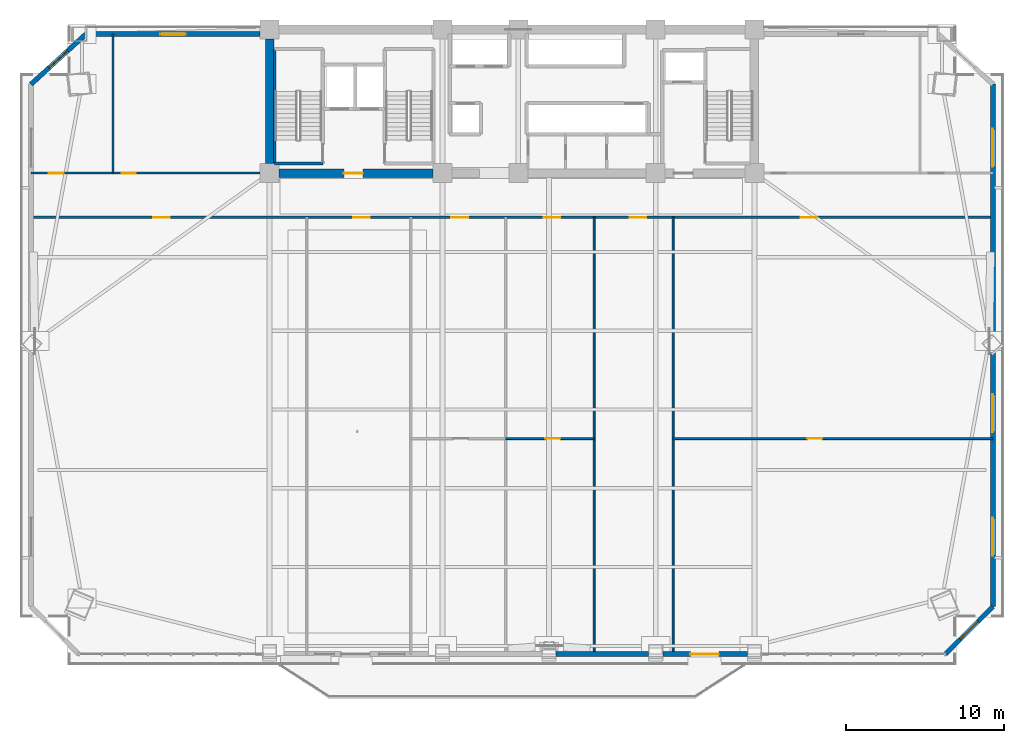
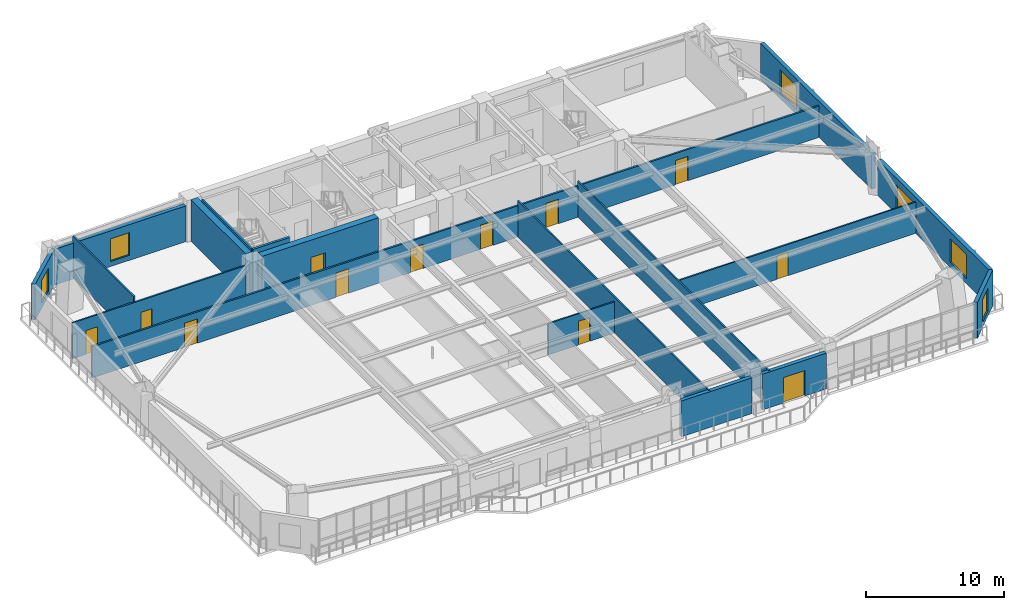
# One storey, part 8 of 15: 18 walls, 12 doors, 6 windows, 18 openings.
"""IFC4 building model written with IfcOpenShell, lengths in metres."""

import ifcopenshell
import ifcopenshell.guid

model = None  # the IFC model being written
_history = None  # IfcOwnerHistory: only IFC2X3 demands one
_inside = {}  # id of a spatial element -> (the spatial element, [elements in it])
_under = {}  # id of a project, library or spatial element -> (it, [spatial elements below it])
_declared = {}  # id of a project -> (the project, [libraries it declares])
_typed = {}  # id of a type object -> (the type object, [elements of that type])
_made_of = {}  # id of a material, layer set ... -> (it, [elements and type objects made of it])


def new_model(schema):
    """Start an empty IFC model of exactly this schema.

    Asked for "IFC4X3", IfcOpenShell would pick the latest addendum, in which some entities
    have other attributes; the version numbers below select the first issue.
    IFC2X3 requires an IfcOwnerHistory on every rooted entity: one is made here for all.
    """
    global model, _history
    if schema == "IFC4X3":
        model = ifcopenshell.file(schema_version=(4, 3, 0, 0))
    else:
        model = ifcopenshell.file(schema=schema)
    _inside.clear()
    _under.clear()
    _declared.clear()
    _typed.clear()
    _made_of.clear()
    _history = None
    if model.schema == "IFC2X3":
        org = make("IfcOrganization", Name="unknown")
        user = make(
            "IfcPersonAndOrganization",
            ThePerson=make("IfcPerson", FamilyName="unknown"),
            TheOrganization=org,
        )
        app = make(
            "IfcApplication",
            ApplicationDeveloper=org,
            Version="unknown",
            ApplicationFullName="unknown",
            ApplicationIdentifier="unknown",
        )
        _history = make(
            "IfcOwnerHistory",
            OwningUser=user,
            OwningApplication=app,
            ChangeAction="ADDED",
            CreationDate=0,
        )
    return model


def make(cls, **values):
    """One entity of the class cls with the attributes given. An attribute that is None is left unset."""
    return model.create_entity(
        cls, **{name: value for name, value in values.items() if value is not None}
    )


def rooted(cls, **values):
    """An entity with a GlobalId (a new one), such as an element, a storey or a relation."""
    return make(cls, GlobalId=ifcopenshell.guid.new(), OwnerHistory=_history, **values)


def si_unit(unit_type, name, prefix=None):
    """IfcSIUnit, for example si_unit("LENGTHUNIT", "METRE", prefix="MILLI")."""
    return make("IfcSIUnit", UnitType=unit_type, Prefix=prefix, Name=name)


def assignment(units):
    """IfcUnitAssignment: the units of a project."""
    return None if units is None else make("IfcUnitAssignment", Units=units)


def point(xyz):
    """IfcCartesianPoint."""
    return None if xyz is None else make("IfcCartesianPoint", Coordinates=xyz)


def direction(xyz):
    """IfcDirection."""
    return None if xyz is None else make("IfcDirection", DirectionRatios=xyz)


def frame(location, z_axis=None, x_axis=None):
    """IfcAxis2Placement3D, a coordinate frame: its origin and axes. An axis left out is left unset."""
    return make(
        "IfcAxis2Placement3D",
        Location=point(location),
        Axis=direction(z_axis),
        RefDirection=direction(x_axis),
    )


def frame_2d(location, x_axis=None):
    """IfcAxis2Placement2D, a coordinate frame in the plane: its origin and x axis."""
    return make(
        "IfcAxis2Placement2D", Location=point(location), RefDirection=direction(x_axis)
    )


def origin():
    """The frame at (0, 0, 0) with its axes left unset."""
    return frame((0.0, 0.0, 0.0))


def place(relative_to, where):
    """IfcLocalPlacement: puts the frame where relative to a parent placement (None: the world)."""
    return make(
        "IfcLocalPlacement", PlacementRelTo=relative_to, RelativePlacement=where
    )


def context(
    kind, dimensions, precision=None, world=None, true_north=None, identifier=None
):
    """IfcGeometricRepresentationContext, for example the 3D "Model" context."""
    return make(
        "IfcGeometricRepresentationContext",
        ContextIdentifier=identifier,
        ContextType=kind,
        CoordinateSpaceDimension=dimensions,
        Precision=precision,
        WorldCoordinateSystem=world,
        TrueNorth=true_north,
    )


def subcontext(parent, identifier, kind, view, scale=None):
    """IfcGeometricRepresentationSubContext, for example "Body" below "Model"."""
    return make(
        "IfcGeometricRepresentationSubContext",
        ContextIdentifier=identifier,
        ContextType=kind,
        ParentContext=parent,
        TargetScale=scale,
        TargetView=view,
    )


def project(units=None, contexts=None):
    """IfcProject with its units and contexts."""
    return rooted(
        "IfcProject",
        Name="project",
        RepresentationContexts=contexts,
        UnitsInContext=assignment(units),
    )


def spatial(cls, under=None, at=None, **own):
    """A site, building, storey or space (cls), placed at a placement, below another one or the project."""
    s = rooted(cls, ObjectPlacement=at, **own)
    if under is not None:
        _under.setdefault(under.id(), (under, []))[1].append(s)
    return s


def profile(cls, at=None, kind="AREA", **sizes):
    """A parametric profile (cls). Its sizes go by their IFC names, for example OverallWidth=200.0."""
    return make(cls, ProfileType=kind, Position=at, **sizes)


def rectangle(**sizes):
    """IfcRectangleProfileDef."""
    return profile("IfcRectangleProfileDef", **sizes)


def extrude(swept, where, along, depth):
    """IfcExtrudedAreaSolid: the profile swept, set in the frame where, extruded along a direction by depth."""
    return make(
        "IfcExtrudedAreaSolid",
        SweptArea=swept,
        Position=where,
        ExtrudedDirection=direction(along),
        Depth=depth,
    )


def shape(context_of_items, identifier, shape_type, items):
    """IfcShapeRepresentation: the items that make up one representation, for example the "Body"."""
    return make(
        "IfcShapeRepresentation",
        ContextOfItems=context_of_items,
        RepresentationIdentifier=identifier,
        RepresentationType=shape_type,
        Items=items,
    )


def source(mapping_origin, context_of_items, identifier, shape_type, items):
    """IfcRepresentationMap: a shape defined once, which mapped items show again and again."""
    return make(
        "IfcRepresentationMap",
        MappingOrigin=mapping_origin,
        MappedRepresentation=shape(context_of_items, identifier, shape_type, items),
    )


def transform(
    local_origin,
    x_axis=None,
    y_axis=None,
    z_axis=None,
    scale=None,
    scale2=None,
    scale3=None,
    uniform=True,
):
    """IfcCartesianTransformationOperator3D, or its non-uniform kind. x_axis, y_axis, z_axis: its Axis1, 2, 3."""
    if uniform:
        return make(
            "IfcCartesianTransformationOperator3D",
            Axis1=direction(x_axis),
            Axis2=direction(y_axis),
            LocalOrigin=point(local_origin),
            Scale=scale,
            Axis3=direction(z_axis),
        )
    return make(
        "IfcCartesianTransformationOperator3DnonUniform",
        Axis1=direction(x_axis),
        Axis2=direction(y_axis),
        LocalOrigin=point(local_origin),
        Scale=scale,
        Axis3=direction(z_axis),
        Scale2=scale2,
        Scale3=scale3,
    )


def mapped(mapping_source, mapping_target):
    """IfcMappedItem: shows the shape of a source again, moved by a transform."""
    return make(
        "IfcMappedItem", MappingSource=mapping_source, MappingTarget=mapping_target
    )


def material(Name=None, Category=None):
    """IfcMaterial."""
    return make("IfcMaterial", Name=Name, Category=Category)


def layer(
    of_material, thickness, ventilated=None, Name=None, Category=None, Priority=None
):
    """IfcMaterialLayer: one layer of a wall or slab, of a material (None: an air gap)."""
    return make(
        "IfcMaterialLayer",
        Material=of_material,
        LayerThickness=thickness,
        IsVentilated=ventilated,
        Name=Name,
        Category=Category,
        Priority=Priority,
    )


def layer_set(layers, Name=None):
    """IfcMaterialLayerSet."""
    return make("IfcMaterialLayerSet", MaterialLayers=layers, LayerSetName=Name)


def made_of(thing, what):
    """Note that an element or type object is made of a material, layer set ...; save() writes the relation."""
    if what is not None:
        _made_of.setdefault(what.id(), (what, []))[1].append(thing)
    return thing


def type_object(cls, material=None, **own):
    """A type object (cls), such as IfcWallType, which elements share."""
    return made_of(rooted(cls, **own), material)


def element(
    cls,
    number,
    at=None,
    inside=None,
    cuts=None,
    type_object=None,
    material=None,
    context=None,
    identifier="Body",
    shape_type=None,
    held_by="IfcProductDefinitionShape",
    body=None,
    shapes=None,
    **own,
):
    """One element of the class cls, such as IfcWall. Its Tag is "e" and its number.

    at: its placement. inside: the storey or other place that contains it. cuts: it is an
    opening in that element (IfcRelVoidsElement). A single representation is given by context,
    identifier, shape_type and body (its items); several are given by shapes. held_by: the class
    of the entity that holds the representations. save() writes the other relations.
    """
    e = rooted(cls, Tag="e%d" % number, ObjectPlacement=at, **own)
    if body is not None:
        shapes = [shape(context, identifier, shape_type, body)]
    if shapes is not None:
        e.Representation = make(held_by, Representations=shapes)
    if inside is not None:
        _inside.setdefault(inside.id(), (inside, []))[1].append(e)
    if cuts is not None:
        rooted(
            "IfcRelVoidsElement", RelatingBuildingElement=cuts, RelatedOpeningElement=e
        )
    if type_object is not None:
        _typed.setdefault(type_object.id(), (type_object, []))[1].append(e)
    return made_of(e, material)


def fill(opening, filler):
    """IfcRelFillsElement: the door or window that sits in an opening."""
    return rooted(
        "IfcRelFillsElement",
        RelatingOpeningElement=opening,
        RelatedBuildingElement=filler,
    )


def aggregate(whole, parts):
    """IfcRelAggregates: a whole, such as a stair, and the parts it consists of."""
    return rooted("IfcRelAggregates", RelatingObject=whole, RelatedObjects=parts)


def save(model, path):
    """Write the relations noted so far, then the file.

    IfcRelAggregates (storeys below a building ...), IfcRelContainedInSpatialStructure (elements
    in a storey), IfcRelDefinesByType, IfcRelAssociatesMaterial and IfcRelDeclares: one each for
    every whole, place, type object, material and project.
    """
    for whole, parts in _under.values():
        aggregate(whole, parts)
    for where, things in _inside.values():
        rooted(
            "IfcRelContainedInSpatialStructure",
            RelatedElements=things,
            RelatingStructure=where,
        )
    for kind, things in _typed.values():
        rooted("IfcRelDefinesByType", RelatedObjects=things, RelatingType=kind)
    for what, things in _made_of.values():
        rooted("IfcRelAssociatesMaterial", RelatedObjects=things, RelatingMaterial=what)
    for by, libraries in _declared.values():
        rooted("IfcRelDeclares", RelatingContext=by, RelatedDefinitions=libraries)
    model.write(path)


model = new_model("IFC4")

# Units and contexts
model_context = context("Model", 3, precision=1e-05, world=origin(), true_north=direction((0.0, 1.0)))
body_context = subcontext(model_context, "Body", "Model", "MODEL_VIEW")
ifc_project = project(units=[si_unit("LENGTHUNIT", "METRE"), si_unit("AREAUNIT", "SQUARE_METRE"), si_unit("VOLUMEUNIT", "CUBIC_METRE"), si_unit("PLANEANGLEUNIT", "RADIAN"), si_unit("MASSUNIT", "GRAM", prefix="KILO")], contexts=[model_context])

# Site, building, storey
site_placement = place(None, origin())
site = spatial("IfcSite", under=ifc_project, at=site_placement, CompositionType="ELEMENT")
building_placement = place(site_placement, origin())
building = spatial("IfcBuilding", under=site, at=building_placement, Name="Giltprow Tower", CompositionType="ELEMENT")
storey_placement = place(building_placement, frame((0.0, 0.0, 119.199951171875)))
storey = spatial("IfcBuildingStorey", under=building, at=storey_placement, Name="L29", CompositionType="ELEMENT", Elevation=119.199951171875)

# Wall, opening, window
ifc_material_1 = material(Name="Precast concrete C40", Category="concrete")
ifc_layer_1 = layer(ifc_material_1, 0.300048828125, Name="Precast concrete C40")
ifc_layer_set_1 = layer_set([ifc_layer_1], Name="Precast concrete C40")
wall_type_1 = type_object("IfcWallType", Name="EW-NOTCH-CHAMFER-300", PredefinedType="SOLIDWALL", material=ifc_layer_set_1)
wall_1_placement = place(storey_placement, frame((62.638916015625, 6.989990234375, 0.0), z_axis=(0.0, 0.0, 1.0), x_axis=(0.707106781187, 0.707106781187, 0.0)))
wall_1 = element("IfcWall", 1, at=wall_1_placement, inside=storey, type_object=wall_type_1, Name="L29 Corner Notch Wall SE", PredefinedType="SOLIDWALL", context=body_context, shape_type="SweptSolid", body=[
    extrude(rectangle(XDim=4.266845703125, YDim=0.300048828125, at=frame_2d((2.13330078125, 0.0))), origin(), (0.0, 0.0, 1.0), 3.16015625),
])
opening_1_placement = place(wall_1_placement, frame((1.3330078125, 0.0, 0.449951171875)))
opening_1 = element("IfcOpeningElement", 2, at=opening_1_placement, cuts=wall_1, Name="Opening WN17", PredefinedType="OPENING", context=body_context, shape_type="SweptSolid", body=[
    extrude(rectangle(XDim=1.60009765625, YDim=2.0, at=frame_2d((0.800048828125, 1.0))), frame((0.0, 0.159912109375, 0.0), z_axis=(0.0, -1.0, 0.0), x_axis=(1.0, 0.0, 0.0)), (0.0, 0.0, 1.0), 0.320068359375),
])
ifc_material_2 = material(Name="Insulated glass", Category="glass")
window_type_1 = type_object("IfcWindowType", Name="WN-COR-1600x2000", PartitioningType="SINGLE_PANEL", PredefinedType="WINDOW", material=ifc_material_2)
shared_shape_1 = source(origin(), body_context, "Body", "SweptSolid", [
    extrude(rectangle(XDim=1.60009765625, YDim=2.0, at=frame_2d((0.800048828125, 1.0))), frame((0.0, 0.030029296875, 0.0), z_axis=(0.0, -1.0, 0.0), x_axis=(1.0, 0.0, 0.0)), (0.0, 0.0, 1.0), 0.06005859375),
])
window_1_placement = place(opening_1_placement, origin())
window_1 = element("IfcWindow", 3, at=window_1_placement, inside=storey, type_object=window_type_1, Name="L29 Corner Notch Window SE", OverallHeight=2.0, OverallWidth=1.60009765625, PartitioningType="SINGLE_PANEL", PredefinedType="WINDOW", context=body_context, shape_type="MappedRepresentation", body=[
    mapped(shared_shape_1, transform((0.0, 0.0, 0.0), x_axis=(1.0, 0.0, 0.0), y_axis=(0.0, 1.0, 0.0), z_axis=(0.0, 0.0, 1.0), scale=1.0)),
])
fill(opening_1, window_1)

wall_2_placement = place(storey_placement, frame((8.2109375, 46.25, 0.0), z_axis=(0.0, 0.0, 1.0), x_axis=(-0.738333520178, -0.674435773801, 0.0)))
wall_2 = element("IfcWall", 4, at=wall_2_placement, inside=storey, type_object=wall_type_1, Name="L29 Corner Notch Wall NW", PredefinedType="SOLIDWALL", context=body_context, shape_type="SweptSolid", body=[
    extrude(rectangle(XDim=4.69580078125, YDim=0.300048828125, at=frame_2d((2.347900390625, 0.0))), origin(), (0.0, 0.0, 1.0), 3.16015625),
])
opening_2_placement = place(wall_2_placement, frame((1.548095703125, 0.0, 0.449951171875)))
opening_2 = element("IfcOpeningElement", 5, at=opening_2_placement, cuts=wall_2, Name="Opening WN17", PredefinedType="OPENING", context=body_context, shape_type="SweptSolid", body=[
    extrude(rectangle(XDim=1.60009765625, YDim=2.0, at=frame_2d((0.800048828125, 1.0))), frame((0.0, 0.159912109375, 0.0), z_axis=(0.0, -1.0, 0.0), x_axis=(1.0, 0.0, 0.0)), (0.0, 0.0, 1.0), 0.320068359375),
])
window_2_placement = place(opening_2_placement, origin())
window_2 = element("IfcWindow", 6, at=window_2_placement, inside=storey, type_object=window_type_1, Name="L29 Corner Notch Window NW", OverallHeight=2.0, OverallWidth=1.60009765625, PartitioningType="SINGLE_PANEL", PredefinedType="WINDOW", context=body_context, shape_type="MappedRepresentation", body=[
    mapped(shared_shape_1, transform((0.0, 0.0, 0.0), x_axis=(1.0, 0.0, 0.0), y_axis=(0.0, 1.0, 0.0), z_axis=(0.0, 0.0, 1.0), scale=1.0)),
])
fill(opening_2, window_2)

# Wall
ifc_layer_2 = layer(ifc_material_1, 0.320068359375, Name="Precast concrete C40")
ifc_layer_set_2 = layer_set([ifc_layer_2], Name="Precast concrete C40")
wall_type_2 = type_object("IfcWallType", Name="EW-TOW-STONE-320", PredefinedType="SOLIDWALL", material=ifc_layer_set_2)
wall_3_placement = place(storey_placement, frame((38.0, 6.989990234375, 0.0), z_axis=(0.0, 0.0, 1.0), x_axis=(1.0, 0.0, 0.0)))
element("IfcWall", 7, at=wall_3_placement, inside=storey, type_object=wall_type_2, Name="L29 South Expressed Frame Wall 4", PredefinedType="SOLIDWALL", context=body_context, shape_type="SweptSolid", body=[
    extrude(rectangle(XDim=5.85009765625, YDim=0.320068359375, at=frame_2d((2.925048828125, 0.0))), origin(), (0.0, 0.0, 1.0), 3.16015625),
])

# Wall, opening, door
wall_4_placement = place(storey_placement, frame((44.75, 6.989990234375, 0.0), z_axis=(0.0, 0.0, 1.0), x_axis=(1.0, 0.0, 0.0)))
wall_4 = element("IfcWall", 8, at=wall_4_placement, inside=storey, type_object=wall_type_2, Name="L29 South Expressed Frame Wall 5", PredefinedType="SOLIDWALL", context=body_context, shape_type="SweptSolid", body=[
    extrude(rectangle(XDim=5.35009765625, YDim=0.320068359375, at=frame_2d((2.675048828125, 0.0))), origin(), (0.0, 0.0, 1.0), 3.16015625),
])
opening_3_placement = place(wall_4_placement, frame((1.75, 0.0, 0.0)))
opening_3 = element("IfcOpeningElement", 9, at=opening_3_placement, cuts=wall_4, Name="Opening ED25", PredefinedType="OPENING", context=body_context, shape_type="SweptSolid", body=[
    extrude(rectangle(XDim=1.800048828125, YDim=2.25, at=frame_2d((0.89990234375, 1.125))), frame((0.0, 0.169921875, 0.0), z_axis=(0.0, -1.0, 0.0), x_axis=(1.0, 0.0, 0.0)), (0.0, 0.0, 1.0), 0.340087890625),
])
ifc_material_3 = material(Name="Anodized bronze and glass", Category="glass")
door_type_1 = type_object("IfcDoorType", Name="DR-BALC-SLIDE-1800", OperationType="SLIDING_TO_LEFT", PredefinedType="DOOR", material=ifc_material_3)
shared_shape_2 = source(origin(), body_context, "Body", "SweptSolid", [
    extrude(rectangle(XDim=1.800048828125, YDim=2.25, at=frame_2d((0.89990234375, 1.125))), frame((0.0, 0.02490234375, 0.0), z_axis=(0.0, -1.0, 0.0), x_axis=(1.0, 0.0, 0.0)), (0.0, 0.0, 1.0), 0.050048828125),
])
door_1_placement = place(opening_3_placement, origin())
door_1 = element("IfcDoor", 10, at=door_1_placement, inside=storey, type_object=door_type_1, Name="L29 Waterfront Balcony Sliding Door 2", OperationType="SLIDING_TO_LEFT", OverallHeight=2.25, OverallWidth=1.800048828125, PredefinedType="DOOR", context=body_context, shape_type="MappedRepresentation", body=[
    mapped(shared_shape_2, transform((0.0, 0.0, 0.0), x_axis=(1.0, 0.0, 0.0), y_axis=(0.0, 1.0, 0.0), z_axis=(0.0, 0.0, 1.0), scale=1.0)),
])
fill(opening_3, door_1)

# Wall, openings, windows
wall_5_placement = place(storey_placement, frame((65.656005859375, 10.007080078125, 0.0), z_axis=(0.0, 0.0, 1.0), x_axis=(0.0, 1.0, 0.0)))
wall_5 = element("IfcWall", 11, at=wall_5_placement, inside=storey, type_object=wall_type_2, Name="L29 E Wing Masonry Wall 1", PredefinedType="SOLIDWALL", context=body_context, shape_type="SweptSolid", body=[
    extrude(rectangle(XDim=16.087890625, YDim=0.320068359375, at=frame_2d((8.0439453125, 0.0))), origin(), (0.0, 0.0, 1.0), 3.16015625),
])
opening_4_placement = place(wall_5_placement, frame((3.222900390625, 0.0, 0.449951171875)))
opening_4 = element("IfcOpeningElement", 12, at=opening_4_placement, cuts=wall_5, Name="Opening WN29", PredefinedType="OPENING", context=body_context, shape_type="SweptSolid", body=[
    extrude(rectangle(XDim=2.39990234375, YDim=2.10009765625, at=frame_2d((1.199951171875, 1.050048828125))), frame((0.0, 0.169921875, 0.0), z_axis=(0.0, -1.0, 0.0), x_axis=(1.0, 0.0, 0.0)), (0.0, 0.0, 1.0), 0.340087890625),
])
opening_5_placement = place(wall_5_placement, frame((11.0380859375, 0.0, 0.449951171875)))
opening_5 = element("IfcOpeningElement", 13, at=opening_5_placement, cuts=wall_5, Name="Opening WN29", PredefinedType="OPENING", context=body_context, shape_type="SweptSolid", body=[
    extrude(rectangle(XDim=2.39990234375, YDim=2.10009765625, at=frame_2d((1.199951171875, 1.050048828125))), frame((0.0, 0.169921875, 0.0), z_axis=(0.0, -1.0, 0.0), x_axis=(1.0, 0.0, 0.0)), (0.0, 0.0, 1.0), 0.340087890625),
])
window_type_2 = type_object("IfcWindowType", Name="WN-OFF-2400x2100", PartitioningType="DOUBLE_PANEL_VERTICAL", PredefinedType="WINDOW", material=ifc_material_2)
shared_shape_3 = source(origin(), body_context, "Body", "SweptSolid", [
    extrude(rectangle(XDim=2.39990234375, YDim=2.10009765625, at=frame_2d((1.199951171875, 1.050048828125))), frame((0.0, 0.030029296875, 0.0), z_axis=(0.0, -1.0, 0.0), x_axis=(1.0, 0.0, 0.0)), (0.0, 0.0, 1.0), 0.06005859375),
])
window_3_placement = place(opening_4_placement, origin())
window_3 = element("IfcWindow", 14, at=window_3_placement, inside=storey, type_object=window_type_2, Name="L29 E Wing Window 1-1A", OverallHeight=2.10009765625, OverallWidth=2.39990234375, PartitioningType="SINGLE_PANEL", PredefinedType="WINDOW", context=body_context, shape_type="MappedRepresentation", body=[
    mapped(shared_shape_3, transform((0.0, 0.0, 0.0), x_axis=(1.0, 0.0, 0.0), y_axis=(0.0, 1.0, 0.0), z_axis=(0.0, 0.0, 1.0), scale=1.0)),
])
fill(opening_4, window_3)
window_4_placement = place(opening_5_placement, origin())
window_4 = element("IfcWindow", 15, at=window_4_placement, inside=storey, type_object=window_type_2, Name="L29 E Wing Window 1-1B", OverallHeight=2.10009765625, OverallWidth=2.39990234375, PartitioningType="SINGLE_PANEL", PredefinedType="WINDOW", context=body_context, shape_type="MappedRepresentation", body=[
    mapped(shared_shape_3, transform((0.0, 0.0, 0.0), x_axis=(1.0, 0.0, 0.0), y_axis=(0.0, 1.0, 0.0), z_axis=(0.0, 0.0, 1.0), scale=1.0)),
])
fill(opening_5, window_4)

# Wall, opening, window
wall_6_placement = place(storey_placement, frame((65.656005859375, 26.9951171875, 0.0), z_axis=(0.0, 0.0, 1.0), x_axis=(0.0, 1.0, 0.0)))
wall_6 = element("IfcWall", 16, at=wall_6_placement, inside=storey, type_object=wall_type_2, Name="L29 E Wing Masonry Wall 2", PredefinedType="SOLIDWALL", context=body_context, shape_type="SweptSolid", body=[
    extrude(rectangle(XDim=16.087890625, YDim=0.320068359375, at=frame_2d((8.0439453125, 0.0))), origin(), (0.0, 0.0, 1.0), 3.16015625),
])
opening_6_placement = place(wall_6_placement, frame((10.860107421875, 0.0, 0.449951171875)))
opening_6 = element("IfcOpeningElement", 17, at=opening_6_placement, cuts=wall_6, Name="Opening WN29", PredefinedType="OPENING", context=body_context, shape_type="SweptSolid", body=[
    extrude(rectangle(XDim=2.39990234375, YDim=2.10009765625, at=frame_2d((1.199951171875, 1.050048828125))), frame((0.0, 0.169921875, 0.0), z_axis=(0.0, -1.0, 0.0), x_axis=(1.0, 0.0, 0.0)), (0.0, 0.0, 1.0), 0.340087890625),
])
window_5_placement = place(opening_6_placement, origin())
window_5 = element("IfcWindow", 18, at=window_5_placement, inside=storey, type_object=window_type_2, Name="L29 E Wing Window 2-1", OverallHeight=2.10009765625, OverallWidth=2.39990234375, PartitioningType="SINGLE_PANEL", PredefinedType="WINDOW", context=body_context, shape_type="MappedRepresentation", body=[
    mapped(shared_shape_3, transform((0.0, 0.0, 0.0), x_axis=(1.0, 0.0, 0.0), y_axis=(0.0, 1.0, 0.0), z_axis=(0.0, 0.0, 1.0), scale=1.0)),
])
fill(opening_6, window_5)

wall_7_placement = place(storey_placement, frame((8.2109375, 46.25, 0.0), z_axis=(0.0, 0.0, 1.0), x_axis=(1.0, 0.0, 0.0)))
wall_7 = element("IfcWall", 19, at=wall_7_placement, inside=storey, type_object=wall_type_2, Name="L29 North-West Wing Wall", PredefinedType="SOLIDWALL", context=body_context, shape_type="SweptSolid", body=[
    extrude(rectangle(XDim=11.0390625, YDim=0.320068359375, at=frame_2d((5.51953125, 0.0))), origin(), (0.0, 0.0, 1.0), 3.16015625),
])
opening_7_placement = place(wall_7_placement, frame((4.719970703125, 0.0, 0.449951171875)))
opening_7 = element("IfcOpeningElement", 20, at=opening_7_placement, cuts=wall_7, Name="Opening WN17", PredefinedType="OPENING", context=body_context, shape_type="SweptSolid", body=[
    extrude(rectangle(XDim=1.60009765625, YDim=2.0, at=frame_2d((0.800048828125, 1.0))), frame((0.0, 0.169921875, 0.0), z_axis=(0.0, -1.0, 0.0), x_axis=(1.0, 0.0, 0.0)), (0.0, 0.0, 1.0), 0.340087890625),
])
window_6_placement = place(opening_7_placement, origin())
window_6 = element("IfcWindow", 21, at=window_6_placement, inside=storey, type_object=window_type_1, Name="L29 North-West Window", OverallHeight=2.0, OverallWidth=1.60009765625, PartitioningType="SINGLE_PANEL", PredefinedType="WINDOW", context=body_context, shape_type="MappedRepresentation", body=[
    mapped(shared_shape_1, transform((0.0, 0.0, 0.0), x_axis=(1.0, 0.0, 0.0), y_axis=(0.0, 1.0, 0.0), z_axis=(0.0, 0.0, 1.0), scale=1.0)),
])
fill(opening_7, window_6)

# Wall, openings, doors
ifc_material_4 = material(Name="Gypsum stud partition", Category="gypsum")
ifc_layer_3 = layer(ifc_material_4, 0.14990234375, Name="Gypsum stud partition")
ifc_layer_set_3 = layer_set([ifc_layer_3], Name="Gypsum stud partition")
wall_type_3 = type_object("IfcWallType", Name="IW-CORR-150", PredefinedType="PARTITIONING", material=ifc_layer_set_3)
wall_8_placement = place(storey_placement, frame((4.743896484375, 34.64990234375, 0.0), z_axis=(0.0, 0.0, 1.0), x_axis=(1.0, 0.0, 0.0)))
wall_8 = element("IfcWall", 22, at=wall_8_placement, inside=storey, type_object=wall_type_3, Name="L29 Office Loop Corridor Wall", PredefinedType="PARTITIONING", context=body_context, shape_type="SweptSolid", body=[
    extrude(rectangle(XDim=60.912109375, YDim=0.14990234375, at=frame_2d((30.4560546875, 0.0))), origin(), (0.0, 0.0, 1.0), 2.76513671875),
])
opening_8_placement = place(wall_8_placement, frame((7.7470703125, 0.0, 0.0)))
opening_8 = element("IfcOpeningElement", 23, at=opening_8_placement, cuts=wall_8, Name="Opening ID31", PredefinedType="OPENING", context=body_context, shape_type="SweptSolid", body=[
    extrude(rectangle(XDim=1.050048828125, YDim=2.14990234375, at=frame_2d((0.52490234375, 1.074951171875))), frame((0.0, 0.0849609375, 0.0), z_axis=(0.0, -1.0, 0.0), x_axis=(1.0, 0.0, 0.0)), (0.0, 0.0, 1.0), 0.169921875),
])
opening_9_placement = place(wall_8_placement, frame((20.39111328125, 0.0, 0.0)))
opening_9 = element("IfcOpeningElement", 24, at=opening_9_placement, cuts=wall_8, Name="Opening ID31", PredefinedType="OPENING", context=body_context, shape_type="SweptSolid", body=[
    extrude(rectangle(XDim=1.050048828125, YDim=2.14990234375, at=frame_2d((0.52490234375, 1.074951171875))), frame((0.0, 0.0849609375, 0.0), z_axis=(0.0, -1.0, 0.0), x_axis=(1.0, 0.0, 0.0)), (0.0, 0.0, 1.0), 0.169921875),
])
opening_10_placement = place(wall_8_placement, frame((26.6220703125, 0.0, 0.0)))
opening_10 = element("IfcOpeningElement", 25, at=opening_10_placement, cuts=wall_8, Name="Opening ID31", PredefinedType="OPENING", context=body_context, shape_type="SweptSolid", body=[
    extrude(rectangle(XDim=1.050048828125, YDim=2.14990234375, at=frame_2d((0.52490234375, 1.074951171875))), frame((0.0, 0.0849609375, 0.0), z_axis=(0.0, -1.0, 0.0), x_axis=(1.0, 0.0, 0.0)), (0.0, 0.0, 1.0), 0.169921875),
])
opening_11_placement = place(wall_8_placement, frame((32.4619140625, 0.0, 0.0)))
opening_11 = element("IfcOpeningElement", 26, at=opening_11_placement, cuts=wall_8, Name="Opening ID31", PredefinedType="OPENING", context=body_context, shape_type="SweptSolid", body=[
    extrude(rectangle(XDim=1.050048828125, YDim=2.14990234375, at=frame_2d((0.52490234375, 1.074951171875))), frame((0.0, 0.0849609375, 0.0), z_axis=(0.0, -1.0, 0.0), x_axis=(1.0, 0.0, 0.0)), (0.0, 0.0, 1.0), 0.169921875),
])
opening_12_placement = place(wall_8_placement, frame((37.9189453125, 0.0, 0.0)))
opening_12 = element("IfcOpeningElement", 27, at=opening_12_placement, cuts=wall_8, Name="Opening ID31", PredefinedType="OPENING", context=body_context, shape_type="SweptSolid", body=[
    extrude(rectangle(XDim=1.050048828125, YDim=2.14990234375, at=frame_2d((0.52490234375, 1.074951171875))), frame((0.0, 0.0849609375, 0.0), z_axis=(0.0, -1.0, 0.0), x_axis=(1.0, 0.0, 0.0)), (0.0, 0.0, 1.0), 0.169921875),
])
opening_13_placement = place(wall_8_placement, frame((48.75, 0.0, 0.0)))
opening_13 = element("IfcOpeningElement", 28, at=opening_13_placement, cuts=wall_8, Name="Opening ID31", PredefinedType="OPENING", context=body_context, shape_type="SweptSolid", body=[
    extrude(rectangle(XDim=1.050048828125, YDim=2.14990234375, at=frame_2d((0.52490234375, 1.074951171875))), frame((0.0, 0.0849609375, 0.0), z_axis=(0.0, -1.0, 0.0), x_axis=(1.0, 0.0, 0.0)), (0.0, 0.0, 1.0), 0.169921875),
])
ifc_material_5 = material(Name="Engineered timber", Category="wood")
door_type_2 = type_object("IfcDoorType", Name="DR-SUITE-1050", OperationType="SINGLE_SWING_LEFT", PredefinedType="DOOR", material=ifc_material_5)
shared_shape_4 = source(origin(), body_context, "Body", "SweptSolid", [
    extrude(rectangle(XDim=1.050048828125, YDim=2.14990234375, at=frame_2d((0.52490234375, 1.074951171875))), frame((0.0, 0.02490234375, 0.0), z_axis=(0.0, -1.0, 0.0), x_axis=(1.0, 0.0, 0.0)), (0.0, 0.0, 1.0), 0.050048828125),
])
door_2_placement = place(opening_8_placement, origin())
door_2 = element("IfcDoor", 29, at=door_2_placement, inside=storey, type_object=door_type_2, Name="L29 Engineering Office 1 Door", OperationType="SINGLE_SWING_RIGHT", OverallHeight=2.14990234375, OverallWidth=1.050048828125, PredefinedType="DOOR", context=body_context, shape_type="MappedRepresentation", body=[
    mapped(shared_shape_4, transform((0.0, 0.0, 0.0), x_axis=(1.0, 0.0, 0.0), y_axis=(0.0, 1.0, 0.0), z_axis=(0.0, 0.0, 1.0), scale=1.0)),
])
fill(opening_8, door_2)
door_3_placement = place(opening_9_placement, origin())
door_3 = element("IfcDoor", 30, at=door_3_placement, inside=storey, type_object=door_type_2, Name="L29 Dining Kitchen 1 Door", OperationType="SINGLE_SWING_LEFT", OverallHeight=2.14990234375, OverallWidth=1.050048828125, PredefinedType="DOOR", context=body_context, shape_type="MappedRepresentation", body=[
    mapped(shared_shape_4, transform((0.0, 0.0, 0.0), x_axis=(1.0, 0.0, 0.0), y_axis=(0.0, 1.0, 0.0), z_axis=(0.0, 0.0, 1.0), scale=1.0)),
])
fill(opening_9, door_3)
door_4_placement = place(opening_10_placement, origin())
door_4 = element("IfcDoor", 31, at=door_4_placement, inside=storey, type_object=door_type_2, Name="L29 Suite Reception Foyer Door", OperationType="SINGLE_SWING_RIGHT", OverallHeight=2.14990234375, OverallWidth=1.050048828125, PredefinedType="DOOR", context=body_context, shape_type="MappedRepresentation", body=[
    mapped(shared_shape_4, transform((0.0, 0.0, 0.0), x_axis=(1.0, 0.0, 0.0), y_axis=(0.0, 1.0, 0.0), z_axis=(0.0, 0.0, 1.0), scale=1.0)),
])
fill(opening_10, door_4)
door_5_placement = place(opening_11_placement, origin())
door_5 = element("IfcDoor", 32, at=door_5_placement, inside=storey, type_object=door_type_2, Name="L29 Suite Reception Foyer Door", OperationType="SINGLE_SWING_RIGHT", OverallHeight=2.14990234375, OverallWidth=1.050048828125, PredefinedType="DOOR", context=body_context, shape_type="MappedRepresentation", body=[
    mapped(shared_shape_4, transform((0.0, 0.0, 0.0), x_axis=(1.0, 0.0, 0.0), y_axis=(0.0, 1.0, 0.0), z_axis=(0.0, 0.0, 1.0), scale=1.0)),
])
fill(opening_11, door_5)
door_6_placement = place(opening_12_placement, origin())
door_6 = element("IfcDoor", 33, at=door_6_placement, inside=storey, type_object=door_type_2, Name="L29 Planning Office 3 Door", OperationType="SINGLE_SWING_RIGHT", OverallHeight=2.14990234375, OverallWidth=1.050048828125, PredefinedType="DOOR", context=body_context, shape_type="MappedRepresentation", body=[
    mapped(shared_shape_4, transform((0.0, 0.0, 0.0), x_axis=(1.0, 0.0, 0.0), y_axis=(0.0, 1.0, 0.0), z_axis=(0.0, 0.0, 1.0), scale=1.0)),
])
fill(opening_12, door_6)
door_7_placement = place(opening_13_placement, origin())
door_7 = element("IfcDoor", 34, at=door_7_placement, inside=storey, type_object=door_type_2, Name="L29 Suite Reception Foyer Door", OperationType="SINGLE_SWING_LEFT", OverallHeight=2.14990234375, OverallWidth=1.050048828125, PredefinedType="DOOR", context=body_context, shape_type="MappedRepresentation", body=[
    mapped(shared_shape_4, transform((0.0, 0.0, 0.0), x_axis=(1.0, 0.0, 0.0), y_axis=(0.0, 1.0, 0.0), z_axis=(0.0, 0.0, 1.0), scale=1.0)),
])
fill(opening_13, door_7)

# Wall, opening, door
ifc_layer_4 = layer(ifc_material_4, 0.1201171875, Name="Gypsum stud partition")
ifc_layer_set_4 = layer_set([ifc_layer_4], Name="Gypsum stud partition")
wall_type_4 = type_object("IfcWallType", Name="IW-ROOM-120", PredefinedType="PARTITIONING", material=ifc_layer_set_4)
wall_9_placement = place(storey_placement, frame((34.800048828125, 20.64501953125, 0.0), z_axis=(0.0, 0.0, 1.0), x_axis=(1.0, 0.0, 0.0)))
wall_9 = element("IfcWall", 35, at=wall_9_placement, inside=storey, type_object=wall_type_4, Name="L29 Office Mid Wall 4", PredefinedType="PARTITIONING", context=body_context, shape_type="SweptSolid", body=[
    extrude(rectangle(XDim=5.599853515625, YDim=0.1201171875, at=frame_2d((2.7998046875, 0.0))), origin(), (0.0, 0.0, 1.0), 2.76513671875),
])
opening_14_placement = place(wall_9_placement, frame((2.514892578125, 0.0, 0.0)))
opening_14 = element("IfcOpeningElement", 36, at=opening_14_placement, cuts=wall_9, Name="Opening ID11", PredefinedType="OPENING", context=body_context, shape_type="SweptSolid", body=[
    extrude(rectangle(XDim=0.949951171875, YDim=2.10009765625, at=frame_2d((0.47509765625, 1.050048828125))), frame((0.0, 0.070068359375, 0.0), z_axis=(0.0, -1.0, 0.0), x_axis=(1.0, 0.0, 0.0)), (0.0, 0.0, 1.0), 0.14013671875),
])
door_type_3 = type_object("IfcDoorType", Name="DR-ROOM-950", OperationType="SINGLE_SWING_RIGHT", PredefinedType="DOOR", material=ifc_material_5)
shared_shape_5 = source(origin(), body_context, "Body", "SweptSolid", [
    extrude(rectangle(XDim=0.949951171875, YDim=2.10009765625, at=frame_2d((0.47509765625, 1.050048828125))), frame((0.0, 0.02490234375, 0.0), z_axis=(0.0, -1.0, 0.0), x_axis=(1.0, 0.0, 0.0)), (0.0, 0.0, 1.0), 0.050048828125),
])
door_8_placement = place(opening_14_placement, origin())
door_8 = element("IfcDoor", 37, at=door_8_placement, inside=storey, type_object=door_type_3, Name="L29 Bistro Kitchen 2 Inner Door", OperationType="SINGLE_SWING_LEFT", OverallHeight=2.10009765625, OverallWidth=0.949951171875, PredefinedType="DOOR", context=body_context, shape_type="MappedRepresentation", body=[
    mapped(shared_shape_5, transform((0.0, 0.0, 0.0), x_axis=(1.0, 0.0, 0.0), y_axis=(0.0, 1.0, 0.0), z_axis=(0.0, 0.0, 1.0), scale=1.0)),
])
fill(opening_14, door_8)

# Walls
for number, where, z_axis, x_axis, name in (
    (38, (40.39990234375, 6.989990234375, 0.0), (0.0, 0.0, 1.0), (0.0, 1.0, 0.0), "L29 Office Partition 4"),
    (39, (45.39990234375, 6.989990234375, 0.0), (0.0, 0.0, 1.0), (0.0, 1.0, 0.0), "L29 Office Partition 5"),
):
    element("IfcWall", number, at=place(storey_placement, frame(where, z_axis=z_axis, x_axis=x_axis)), inside=storey, type_object=wall_type_4, Name=name, PredefinedType="PARTITIONING", context=body_context, shape_type="SweptSolid", body=[
        extrude(rectangle(XDim=27.659912109375, YDim=0.1201171875, at=frame_2d((13.830078125, 0.0))), origin(), (0.0, 0.0, 1.0), 3.1650390625),
    ])

# Wall, opening, door
wall_10_placement = place(storey_placement, frame((45.39990234375, 20.64501953125, 0.0), z_axis=(0.0, 0.0, 1.0), x_axis=(1.0, 0.0, 0.0)))
wall_10 = element("IfcWall", 40, at=wall_10_placement, inside=storey, type_object=wall_type_4, Name="L29 Office Mid Wall 6", PredefinedType="PARTITIONING", context=body_context, shape_type="SweptSolid", body=[
    extrude(rectangle(XDim=20.256103515625, YDim=0.1201171875, at=frame_2d((10.1279296875, 0.0))), origin(), (0.0, 0.0, 1.0), 2.76513671875),
])
opening_15_placement = place(wall_10_placement, frame((8.488037109375, 0.0, 0.0)))
opening_15 = element("IfcOpeningElement", 41, at=opening_15_placement, cuts=wall_10, Name="Opening ID11", PredefinedType="OPENING", context=body_context, shape_type="SweptSolid", body=[
    extrude(rectangle(XDim=0.949951171875, YDim=2.10009765625, at=frame_2d((0.47509765625, 1.050048828125))), frame((0.0, 0.070068359375, 0.0), z_axis=(0.0, -1.0, 0.0), x_axis=(1.0, 0.0, 0.0)), (0.0, 0.0, 1.0), 0.14013671875),
])
door_9_placement = place(opening_15_placement, origin())
door_9 = element("IfcDoor", 42, at=door_9_placement, inside=storey, type_object=door_type_3, Name="L29 Pantry Kitchen 3 Inner Door", OperationType="SINGLE_SWING_RIGHT", OverallHeight=2.10009765625, OverallWidth=0.949951171875, PredefinedType="DOOR", context=body_context, shape_type="MappedRepresentation", body=[
    mapped(shared_shape_5, transform((0.0, 0.0, 0.0), x_axis=(1.0, 0.0, 0.0), y_axis=(0.0, 1.0, 0.0), z_axis=(0.0, 0.0, 1.0), scale=1.0)),
])
fill(opening_15, door_9)

# Walls
ifc_material_6 = material(Name="Concrete C45", Category="concrete")
ifc_layer_5 = layer(ifc_material_6, 0.139892578125, Name="Concrete C45")
ifc_layer_set_5 = layer_set([ifc_layer_5], Name="Concrete C45")
wall_type_5 = type_object("IfcWallType", Name="IW-STAIR-140", PredefinedType="SOLIDWALL", material=ifc_layer_set_5)
wall_11_placement = place(storey_placement, frame((20.169921875, 38.070068359375, 0.0), z_axis=(0.0, 0.0, 1.0), x_axis=(0.0, 1.0, 0.0)))
element("IfcWall", 43, at=wall_11_placement, inside=storey, type_object=wall_type_5, Name="L29 Stair ST-1 West Bearing Wall", PredefinedType="SOLIDWALL", context=body_context, shape_type="SweptSolid", body=[
    extrude(rectangle(XDim=7.25, YDim=0.139892578125, at=frame_2d((3.625, 0.0))), origin(), (0.0, 0.0, 1.0), 3.900146484375),
])
ifc_material_7 = material(Name="Concrete C40", Category="concrete")
ifc_layer_6 = layer(ifc_material_7, 0.199951171875, Name="Concrete C40")
ifc_layer_set_6 = layer_set([ifc_layer_6], Name="Concrete C40")
wall_type_6 = type_object("IfcWallType", Name="IW-STAIR-200", PredefinedType="SOLIDWALL", material=ifc_layer_set_6)
wall_12_placement = place(storey_placement, frame((20.169921875, 38.070068359375, 0.0), z_axis=(0.0, 0.0, 1.0), x_axis=(1.0, 0.0, 0.0)))
element("IfcWall", 44, at=wall_12_placement, inside=storey, type_object=wall_type_6, Name="L29 Stair ST-1 South Bearing Wall", PredefinedType="SOLIDWALL", context=body_context, shape_type="SweptSolid", body=[
    extrude(rectangle(XDim=3.050048828125, YDim=0.199951171875, at=frame_2d((1.52490234375, 0.0))), origin(), (0.0, 0.0, 1.0), 3.900146484375),
])

# Wall, openings, doors
ifc_material_8 = material(Name="Concrete C30", Category="concrete")
ifc_layer_7 = layer(ifc_material_8, 0.1298828125, Name="Concrete C30")
ifc_layer_set_7 = layer_set([ifc_layer_7], Name="Concrete C30")
wall_type_7 = type_object("IfcWallType", Name="IW-WET-130", PredefinedType="PARTITIONING", material=ifc_layer_set_7)
wall_13_placement = place(storey_placement, frame((4.743896484375, 37.449951171875, 0.0), z_axis=(0.0, 0.0, 1.0), x_axis=(1.0, 0.0, 0.0)))
wall_13 = element("IfcWall", 45, at=wall_13_placement, inside=storey, type_object=wall_type_7, Name="L29 NW Wing South Wall", PredefinedType="PARTITIONING", context=body_context, shape_type="SweptSolid", body=[
    extrude(rectangle(XDim=14.506103515625, YDim=0.1298828125, at=frame_2d((7.2529296875, 0.0))), origin(), (0.0, 0.0, 1.0), 3.1650390625),
])
opening_16_placement = place(wall_13_placement, frame((1.135009765625, 0.0, 0.0)))
opening_16 = element("IfcOpeningElement", 46, at=opening_16_placement, cuts=wall_13, Name="Opening ID11", PredefinedType="OPENING", context=body_context, shape_type="SweptSolid", body=[
    extrude(rectangle(XDim=0.949951171875, YDim=2.10009765625, at=frame_2d((0.47509765625, 1.050048828125))), frame((0.0, 0.074951171875, 0.0), z_axis=(0.0, -1.0, 0.0), x_axis=(1.0, 0.0, 0.0)), (0.0, 0.0, 1.0), 0.14990234375),
])
opening_17_placement = place(wall_13_placement, frame((5.735107421875, 0.0, 0.0)))
opening_17 = element("IfcOpeningElement", 47, at=opening_17_placement, cuts=wall_13, Name="Opening ID15", PredefinedType="OPENING", context=body_context, shape_type="SweptSolid", body=[
    extrude(rectangle(XDim=0.89990234375, YDim=2.10009765625, at=frame_2d((0.449951171875, 1.050048828125))), frame((0.0, 0.074951171875, 0.0), z_axis=(0.0, -1.0, 0.0), x_axis=(1.0, 0.0, 0.0)), (0.0, 0.0, 1.0), 0.14990234375),
])
door_type_4 = type_object("IfcDoorType", Name="DR-WC-900", OperationType="SINGLE_SWING_LEFT", PredefinedType="DOOR", material=ifc_material_5)
shared_shape_6 = source(origin(), body_context, "Body", "SweptSolid", [
    extrude(rectangle(XDim=0.89990234375, YDim=2.10009765625, at=frame_2d((0.449951171875, 1.050048828125))), frame((0.0, 0.02490234375, 0.0), z_axis=(0.0, -1.0, 0.0), x_axis=(1.0, 0.0, 0.0)), (0.0, 0.0, 1.0), 0.050048828125),
])
door_10_placement = place(opening_17_placement, origin())
door_10 = element("IfcDoor", 48, at=door_10_placement, inside=storey, type_object=door_type_4, Name="L29 NW Washroom Door", OperationType="SINGLE_SWING_RIGHT", OverallHeight=2.10009765625, OverallWidth=0.89990234375, PredefinedType="DOOR", context=body_context, shape_type="MappedRepresentation", body=[
    mapped(shared_shape_6, transform((0.0, 0.0, 0.0), x_axis=(1.0, 0.0, 0.0), y_axis=(0.0, 1.0, 0.0), z_axis=(0.0, 0.0, 1.0), scale=1.0)),
])
fill(opening_17, door_10)
door_11_placement = place(opening_16_placement, origin())
door_11 = element("IfcDoor", 49, at=door_11_placement, inside=storey, type_object=door_type_3, Name="L29 West Tenant Office West Door", OperationType="SINGLE_SWING_LEFT", OverallHeight=2.10009765625, OverallWidth=0.949951171875, PredefinedType="DOOR", context=body_context, shape_type="MappedRepresentation", body=[
    mapped(shared_shape_5, transform((0.0, 0.0, 0.0), x_axis=(1.0, 0.0, 0.0), y_axis=(0.0, 1.0, 0.0), z_axis=(0.0, 0.0, 1.0), scale=1.0)),
])
fill(opening_16, door_11)

# Wall
wall_14_placement = place(storey_placement, frame((9.928955078125, 37.449951171875, 0.0), z_axis=(0.0, 0.0, 1.0), x_axis=(0.0, 1.0, 0.0)))
element("IfcWall", 50, at=wall_14_placement, inside=storey, type_object=wall_type_7, Name="L29 NW Wing Divider", PredefinedType="PARTITIONING", context=body_context, shape_type="SweptSolid", body=[
    extrude(rectangle(XDim=8.800048828125, YDim=0.1298828125, at=frame_2d((4.39990234375, 0.0))), origin(), (0.0, 0.0, 1.0), 3.679931640625),
])

# Wall, opening, door
ifc_material_9 = material(Name="Concrete C60", Category="concrete")
ifc_layer_8 = layer(ifc_material_9, 0.550048828125, Name="Concrete C60")
ifc_layer_set_8 = layer_set([ifc_layer_8], Name="Concrete C60")
wall_type_8 = type_object("IfcWallType", Name="SW-INT-550-C60", PredefinedType="SHEAR", material=ifc_layer_set_8)
wall_15_placement = place(storey_placement, frame((20.449951171875, 37.449951171875, 0.0), z_axis=(0.0, 0.0, 1.0), x_axis=(1.0, 0.0, 0.0)))
wall_15 = element("IfcWall", 51, at=wall_15_placement, inside=storey, type_object=wall_type_8, Name="L29 South Rear Core Shear Wall West", PredefinedType="SHEAR", context=body_context, shape_type="SweptSolid", body=[
    extrude(rectangle(XDim=9.75, YDim=0.550048828125, at=frame_2d((4.875, 0.0))), origin(), (0.0, 0.0, 1.0), 3.679931640625),
])
opening_18_placement = place(wall_15_placement, frame((4.10009765625, 0.0, 0.0)))
opening_18 = element("IfcOpeningElement", 52, at=opening_18_placement, cuts=wall_15, Name="Opening ID19", PredefinedType="OPENING", context=body_context, shape_type="SweptSolid", body=[
    extrude(rectangle(XDim=1.199951171875, YDim=2.14990234375, at=frame_2d((0.60009765625, 1.074951171875))), frame((0.0, 0.284912109375, 0.0), z_axis=(0.0, -1.0, 0.0), x_axis=(1.0, 0.0, 0.0)), (0.0, 0.0, 1.0), 0.570068359375),
])
ifc_material_10 = material(Name="Steel fire leaf", Category="steel")
door_type_5 = type_object("IfcDoorType", Name="DR-FFLOBBY-1200", OperationType="SINGLE_SWING_RIGHT", PredefinedType="DOOR", material=ifc_material_10)
shared_shape_7 = source(origin(), body_context, "Body", "SweptSolid", [
    extrude(rectangle(XDim=1.199951171875, YDim=2.14990234375, at=frame_2d((0.60009765625, 1.074951171875))), frame((0.0, 0.02490234375, 0.0), z_axis=(0.0, -1.0, 0.0), x_axis=(1.0, 0.0, 0.0)), (0.0, 0.0, 1.0), 0.050048828125),
])
door_12_placement = place(opening_18_placement, origin())
door_12 = element("IfcDoor", 53, at=door_12_placement, inside=storey, type_object=door_type_5, Name="L29 West Firefighting Lobby Entry Door", OperationType="SINGLE_SWING_LEFT", OverallHeight=2.14990234375, OverallWidth=1.199951171875, PredefinedType="DOOR", context=body_context, shape_type="MappedRepresentation", body=[
    mapped(shared_shape_7, transform((0.0, 0.0, 0.0), x_axis=(1.0, 0.0, 0.0), y_axis=(0.0, 1.0, 0.0), z_axis=(0.0, 0.0, 1.0), scale=1.0)),
])
fill(opening_18, door_12)

# Wall
wall_16_placement = place(storey_placement, frame((19.85009765625, 38.050048828125, 0.0), z_axis=(0.0, 0.0, 1.0), x_axis=(0.0, 1.0, 0.0)))
element("IfcWall", 54, at=wall_16_placement, inside=storey, type_object=wall_type_8, Name="L29 W Rear Core Shear Wall", PredefinedType="SHEAR", context=body_context, shape_type="SweptSolid", body=[
    extrude(rectangle(XDim=7.89990234375, YDim=0.550048828125, at=frame_2d((3.949951171875, 0.0))), origin(), (0.0, 0.0, 1.0), 3.679931640625),
])

save(model, "model.ifc")
